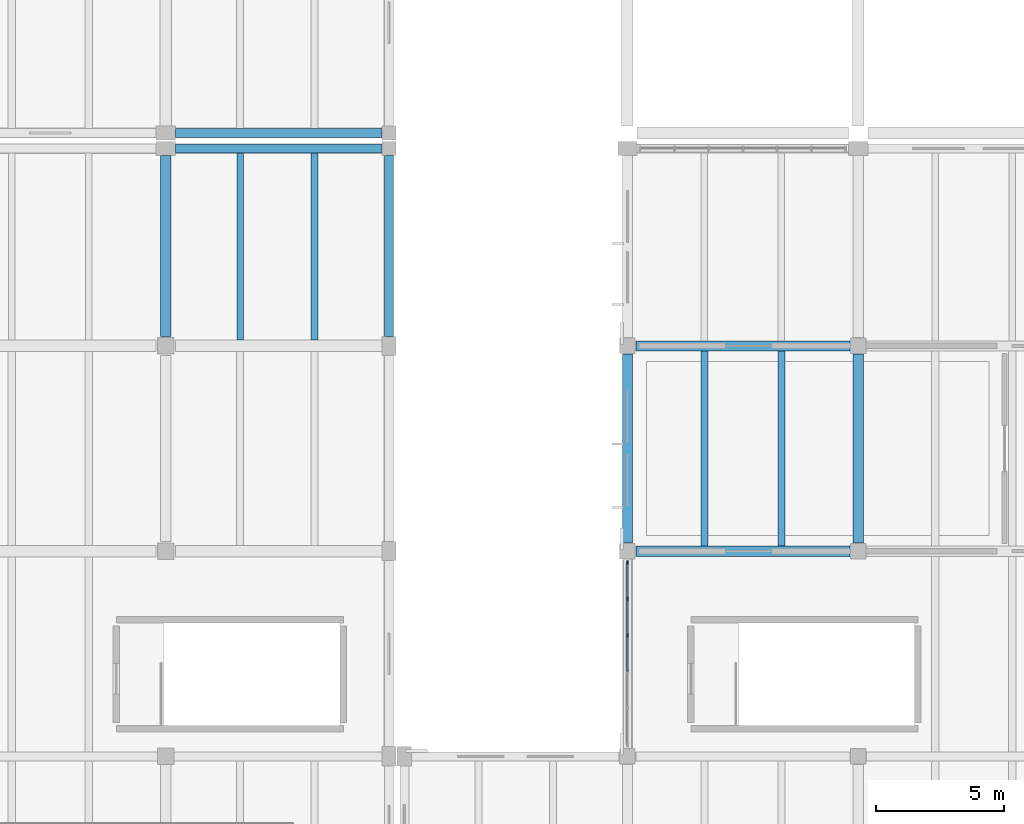
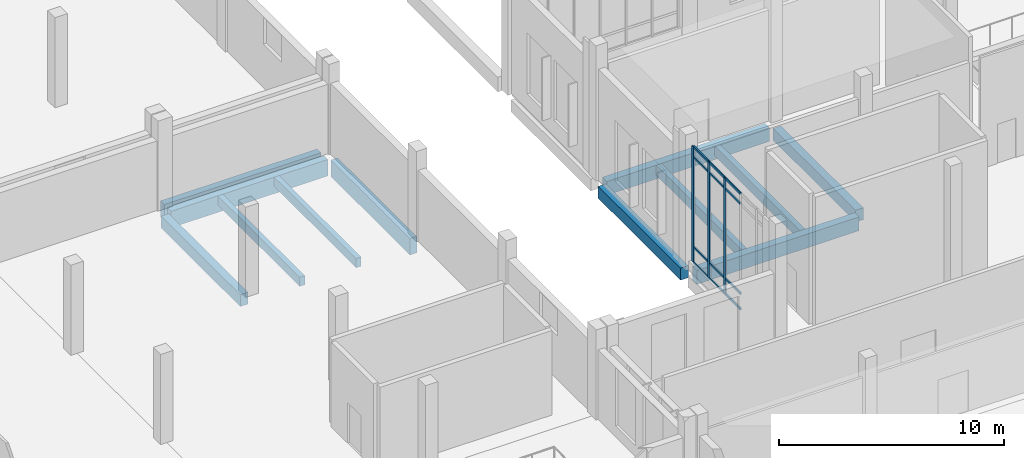
# One storey, part 16 of 110: 15 members, 12 beams, 1 element without a shape of its own.
"""IFC4 building model written with IfcOpenShell, lengths in metres."""

from ifc_helpers import new_model, si_unit, direction, frame, origin, origin_2d, place, context, subcontext, project, spatial, rectangle, extrude, material, layer, layer_set, material_profile, profile_set, type_object, element, aggregate, save


model = new_model("IFC4")

# Units and contexts
model_context = context("Model", 3, precision=1e-05, world=origin(), true_north=direction((0.0, 1.0)))
body_context = subcontext(model_context, "Body", "Model", "MODEL_VIEW")
ifc_project = project(units=[si_unit("LENGTHUNIT", "METRE"), si_unit("AREAUNIT", "SQUARE_METRE"), si_unit("VOLUMEUNIT", "CUBIC_METRE"), si_unit("PLANEANGLEUNIT", "RADIAN"), si_unit("MASSUNIT", "GRAM", prefix="KILO")], contexts=[model_context])

# Site, building, storey
site_placement = place(None, origin())
site = spatial("IfcSite", under=ifc_project, at=site_placement, CompositionType="ELEMENT")
building_placement = place(site_placement, origin())
building = spatial("IfcBuilding", under=site, at=building_placement, Name="Zacnel Wholesale Market", CompositionType="ELEMENT")
storey_placement = place(building_placement, frame((0.0, 0.0, 6.300048828125)))
storey = spatial("IfcBuildingStorey", under=building, at=storey_placement, Name="L02", CompositionType="ELEMENT", Elevation=6.300048828125)

# Beams
ifc_material_1 = material(Name="Precast concrete C45/55", Category="concrete")
ifc_material_profile_1 = material_profile(ifc_material_1, rectangle(XDim=0.280029296875, YDim=0.550048828125, at=origin_2d()), Name="DT RIB 280x550")
ifc_profile_set_1 = profile_set([ifc_material_profile_1], Name="Precast concrete C45/55")
beam_type_1 = type_object("IfcBeamType", Name="BM-DT550", PredefinedType="JOIST", material=ifc_profile_set_1)
for number, where, z_axis, x_axis, name in (
    (1, (84.0, 32.199951171875, -0.574951171875), (0.0, 1.0, 0.0), (-1.0, 0.0, 0.0), "Precast secondary joist L02-0125"),
    (2, (87.0, 32.199951171875, -0.574951171875), (0.0, 1.0, 0.0), (-1.0, 0.0, 0.0), "Precast secondary joist L02-0126"),
):
    element("IfcBeam", number, at=place(storey_placement, frame(where, z_axis=z_axis, x_axis=x_axis)), inside=storey, type_object=beam_type_1, Name=name, PredefinedType="JOIST", context=body_context, shape_type="SweptSolid", body=[
        extrude(rectangle(XDim=0.280029296875, YDim=0.550048828125, at=origin_2d()), origin(), (0.0, 0.0, 1.0), 7.60009765625),
    ])
ifc_material_2 = material(Name="Precast concrete C45/55", Category="concrete")
ifc_material_profile_2 = material_profile(ifc_material_2, rectangle(XDim=0.39990234375, YDim=0.64990234375, at=origin_2d()), Name="PG 400x650")
ifc_profile_set_2 = profile_set([ifc_material_profile_2], Name="Precast concrete C45/55")
beam_type_2 = type_object("IfcBeamType", Name="BM-PG650", PredefinedType="BEAM", material=ifc_profile_set_2)
beam_1_placement = place(storey_placement, frame((63.0, 40.375, -0.64501953125), z_axis=(0.0, 1.0, 0.0), x_axis=(-1.0, 0.0, 0.0)))
element("IfcBeam", 3, at=beam_1_placement, inside=storey, type_object=beam_type_2, Name="Precast girder Y-0391", PredefinedType="BEAM", context=body_context, shape_type="SweptSolid", body=[
    extrude(rectangle(XDim=0.39990234375, YDim=0.64990234375, at=origin_2d()), origin(), (0.0, 0.0, 1.0), 7.050048828125),
])
for number, where, z_axis, x_axis, name in (
    (4, (81.0, 32.324951171875, -0.625), (0.0, 1.0, 0.0), (-1.0, 0.0, 0.0), "Precast girder Y-0424"),
    (5, (90.0, 32.324951171875, -0.625), (0.0, 1.0, 0.0), (-1.0, 0.0, 0.0), "Precast girder Y-0431"),
):
    element("IfcBeam", number, at=place(storey_placement, frame(where, z_axis=z_axis, x_axis=x_axis)), inside=storey, type_object=beam_type_2, Name=name, PredefinedType="BEAM", context=body_context, shape_type="SweptSolid", body=[
        extrude(rectangle(XDim=0.39990234375, YDim=0.64990234375, at=origin_2d()), origin(), (0.0, 0.0, 1.0), 7.35009765625),
    ])
ifc_material_3 = material(Name="Precast concrete C45/55", Category="concrete")
ifc_material_profile_3 = material_profile(ifc_material_3, rectangle(XDim=0.39990234375, YDim=0.75, at=origin_2d()), Name="PG 400x750")
ifc_profile_set_3 = profile_set([ifc_material_profile_3], Name="Precast concrete C45/55")
beam_type_3 = type_object("IfcBeamType", Name="BM-PG750", PredefinedType="BEAM", material=ifc_profile_set_3)
for number, where, z_axis, x_axis, name in (
    (6, (81.324951171875, 32.0, -0.675048828125), (1.0, 0.0, 0.0), (0.0, 1.0, 0.0), "Precast girder X-0081"),
    (7, (81.324951171875, 40.0, -0.675048828125), (1.0, 0.0, 0.0), (0.0, 1.0, 0.0), "Precast girder X-0102"),
):
    element("IfcBeam", number, at=place(storey_placement, frame(where, z_axis=z_axis, x_axis=x_axis)), inside=storey, type_object=beam_type_3, Name=name, PredefinedType="BEAM", context=body_context, shape_type="SweptSolid", body=[
        extrude(rectangle(XDim=0.39990234375, YDim=0.75, at=origin_2d()), origin(), (0.0, 0.0, 1.0), 8.35009765625),
    ])
ifc_material_4 = material(Name="Precast concrete C45/55", Category="concrete")
ifc_material_profile_4 = material_profile(ifc_material_4, rectangle(XDim=0.260009765625, YDim=0.5, at=origin_2d()), Name="PJ 260x500")
ifc_profile_set_4 = profile_set([ifc_material_profile_4], Name="Precast concrete C45/55")
beam_type_4 = type_object("IfcBeamType", Name="BM-PJ500", PredefinedType="HOLLOWCORE", material=ifc_profile_set_4)
for number, where, z_axis, x_axis, name in (
    (8, (65.89990234375, 40.22509765625, -0.570068359375), (0.0, 1.0, 0.0), (-1.0, 0.0, 0.0), "Precast secondary joist L02-0159"),
    (9, (68.800048828125, 40.22509765625, -0.570068359375), (0.0, 1.0, 0.0), (-1.0, 0.0, 0.0), "Precast secondary joist L02-0160"),
):
    element("IfcBeam", number, at=place(storey_placement, frame(where, z_axis=z_axis, x_axis=x_axis)), inside=storey, type_object=beam_type_4, Name=name, PredefinedType="HOLLOWCORE", context=body_context, shape_type="SweptSolid", body=[
        extrude(rectangle(XDim=0.260009765625, YDim=0.5, at=origin_2d()), origin(), (0.0, 0.0, 1.0), 7.2998046875),
    ])
ifc_material_5 = material(Name="Precast concrete C45/55", Category="concrete")
ifc_material_profile_5 = material_profile(ifc_material_5, rectangle(XDim=0.35009765625, YDim=0.89990234375, at=origin_2d()), Name="SP 350x900")
ifc_profile_set_5 = profile_set([ifc_material_profile_5], Name="Precast concrete C45/55")
beam_type_5 = type_object("IfcBeamType", Name="BM-SP900", PredefinedType="SPANDREL", material=ifc_profile_set_5)
for number, where, z_axis, x_axis, name in (
    (10, (63.375, 47.699951171875, -0.77001953125), (1.0, 0.0, 0.0), (0.0, 1.0, 0.0), "Precast girder X-0122"),
    (11, (63.375, 48.300048828125, -0.77001953125), (1.0, 0.0, 0.0), (0.0, 1.0, 0.0), "Precast girder X-0144"),
):
    element("IfcBeam", number, at=place(storey_placement, frame(where, z_axis=z_axis, x_axis=x_axis)), inside=storey, type_object=beam_type_5, Name=name, PredefinedType="SPANDREL", context=body_context, shape_type="SweptSolid", body=[
        extrude(rectangle(XDim=0.35009765625, YDim=0.89990234375, at=origin_2d()), origin(), (0.0, 0.0, 1.0), 8.050048828125),
    ])
beam_2_placement = place(storey_placement, frame((71.699951171875, 40.375, -0.77001953125), z_axis=(0.0, 1.0, 0.0), x_axis=(-1.0, 0.0, 0.0)))
element("IfcBeam", 12, at=beam_2_placement, inside=storey, type_object=beam_type_5, Name="Precast girder Y-0406", PredefinedType="SPANDREL", context=body_context, shape_type="SweptSolid", body=[
    extrude(rectangle(XDim=0.35009765625, YDim=0.89990234375, at=origin_2d()), origin(), (0.0, 0.0, 1.0), 7.050048828125),
])

# Curtain wall, members
ifc_material_6 = material(Name="Anodised aluminium", Category="aluminium")
ifc_layer = layer(ifc_material_6, 0.179931640625)
ifc_layer_set = layer_set([ifc_layer], Name="Anodised aluminium")
curtain_wall_type = type_object("IfcCurtainWallType", Name="CW-AUCT-5800", PredefinedType="NOTDEFINED", material=ifc_layer_set)
curtain_wall_placement = place(storey_placement, origin())
curtain_wall = element("IfcCurtainWall", 13, at=curtain_wall_placement, inside=storey, type_object=curtain_wall_type, Name="Curtain wall ENV-R2-CW-L02-013", PredefinedType="NOTDEFINED")
ifc_material_7 = material(Name="Anodised aluminium", Category="aluminium")
ifc_material_profile_6 = material_profile(ifc_material_7, rectangle(XDim=0.06494140625, YDim=0.1650390625, at=origin_2d()), Name="AW-MULLION 65x165")
ifc_profile_set_6 = profile_set([ifc_material_profile_6], Name="Anodised aluminium")
member_type_1 = type_object("IfcMemberType", Name="CWM-MUL-04", PredefinedType="MULLION", material=ifc_profile_set_6)
member_1_placement = place(storey_placement, frame((81.0, 28.7099609375, 0.449951171875), z_axis=(0.0, 0.0, 1.0), x_axis=(1.0, 0.0, 0.0)))
member_1 = element("IfcMember", 14, at=member_1_placement, type_object=member_type_1, Name="ENV-R2-CW-L02-013 mullion 04", PredefinedType="MULLION", context=body_context, shape_type="SweptSolid", body=[
    extrude(rectangle(XDim=0.06494140625, YDim=0.1650390625, at=origin_2d()), origin(), (0.0, 0.0, 1.0), 6.2900390625),
])
member_2_placement = place(storey_placement, frame((81.0, 30.1298828125, 0.449951171875), z_axis=(0.0, 0.0, 1.0), x_axis=(1.0, 0.0, 0.0)))
member_2 = element("IfcMember", 15, at=member_2_placement, type_object=member_type_1, Name="ENV-R2-CW-L02-013 mullion 05", PredefinedType="MULLION", context=body_context, shape_type="SweptSolid", body=[
    extrude(rectangle(XDim=0.06494140625, YDim=0.1650390625, at=origin_2d()), origin(), (0.0, 0.0, 1.0), 6.2900390625),
])
member_3_placement = place(storey_placement, frame((81.0, 31.550048828125, 0.449951171875), z_axis=(0.0, 0.0, 1.0), x_axis=(1.0, 0.0, 0.0)))
member_3 = element("IfcMember", 16, at=member_3_placement, type_object=member_type_1, Name="ENV-R2-CW-L02-013 mullion 06", PredefinedType="MULLION", context=body_context, shape_type="SweptSolid", body=[
    extrude(rectangle(XDim=0.06494140625, YDim=0.1650390625, at=origin_2d()), origin(), (0.0, 0.0, 1.0), 6.2900390625),
])
ifc_material_8 = material(Name="Anodised aluminium", Category="aluminium")
ifc_material_profile_7 = material_profile(ifc_material_8, rectangle(XDim=0.06494140625, YDim=0.125, at=origin_2d()), Name="AW-TRANSOM 65x125")
ifc_profile_set_7 = profile_set([ifc_material_profile_7], Name="Anodised aluminium")
member_type_2 = type_object("IfcMemberType", Name="CWM-TRN-04", PredefinedType="USERDEFINED", material=ifc_profile_set_7)
member_4_placement = place(storey_placement, frame((81.0, 27.324951171875, 0.449951171875), z_axis=(0.0, 1.0, 0.0), x_axis=(-1.0, 0.0, 0.0)))
member_4 = element("IfcMember", 17, at=member_4_placement, type_object=member_type_2, Name="ENV-R2-CW-L02-013 transom 3-1", ObjectType="TRANSOM", PredefinedType="USERDEFINED", context=body_context, shape_type="SweptSolid", body=[
    extrude(rectangle(XDim=0.06494140625, YDim=0.125, at=origin_2d()), origin(), (0.0, 0.0, 1.0), 1.35009765625),
])
member_5_placement = place(storey_placement, frame((81.0, 27.324951171875, 1.300048828125), z_axis=(0.0, 1.0, 0.0), x_axis=(-1.0, 0.0, 0.0)))
member_5 = element("IfcMember", 18, at=member_5_placement, type_object=member_type_2, Name="ENV-R2-CW-L02-013 transom 3-2", ObjectType="TRANSOM", PredefinedType="USERDEFINED", context=body_context, shape_type="SweptSolid", body=[
    extrude(rectangle(XDim=0.06494140625, YDim=0.125, at=origin_2d()), origin(), (0.0, 0.0, 1.0), 1.35009765625),
])
member_6_placement = place(storey_placement, frame((81.0, 27.324951171875, 6.18994140625), z_axis=(0.0, 1.0, 0.0), x_axis=(-1.0, 0.0, 0.0)))
member_6 = element("IfcMember", 19, at=member_6_placement, type_object=member_type_2, Name="ENV-R2-CW-L02-013 transom 3-3", ObjectType="TRANSOM", PredefinedType="USERDEFINED", context=body_context, shape_type="SweptSolid", body=[
    extrude(rectangle(XDim=0.06494140625, YDim=0.125, at=origin_2d()), origin(), (0.0, 0.0, 1.0), 1.35009765625),
])
member_7_placement = place(storey_placement, frame((81.0, 27.324951171875, 6.739990234375), z_axis=(0.0, 1.0, 0.0), x_axis=(-1.0, 0.0, 0.0)))
member_7 = element("IfcMember", 20, at=member_7_placement, type_object=member_type_2, Name="ENV-R2-CW-L02-013 transom 3-4", ObjectType="TRANSOM", PredefinedType="USERDEFINED", context=body_context, shape_type="SweptSolid", body=[
    extrude(rectangle(XDim=0.06494140625, YDim=0.125, at=origin_2d()), origin(), (0.0, 0.0, 1.0), 1.35009765625),
])
member_8_placement = place(storey_placement, frame((81.0, 28.7451171875, 0.449951171875), z_axis=(0.0, 1.0, 0.0), x_axis=(-1.0, 0.0, 0.0)))
member_8 = element("IfcMember", 21, at=member_8_placement, type_object=member_type_2, Name="ENV-R2-CW-L02-013 transom 4-1", ObjectType="TRANSOM", PredefinedType="USERDEFINED", context=body_context, shape_type="SweptSolid", body=[
    extrude(rectangle(XDim=0.06494140625, YDim=0.125, at=origin_2d()), origin(), (0.0, 0.0, 1.0), 1.349853515625),
])
member_9_placement = place(storey_placement, frame((81.0, 28.7451171875, 1.300048828125), z_axis=(0.0, 1.0, 0.0), x_axis=(-1.0, 0.0, 0.0)))
member_9 = element("IfcMember", 22, at=member_9_placement, type_object=member_type_2, Name="ENV-R2-CW-L02-013 transom 4-2", ObjectType="TRANSOM", PredefinedType="USERDEFINED", context=body_context, shape_type="SweptSolid", body=[
    extrude(rectangle(XDim=0.06494140625, YDim=0.125, at=origin_2d()), origin(), (0.0, 0.0, 1.0), 1.349853515625),
])
member_10_placement = place(storey_placement, frame((81.0, 28.7451171875, 6.18994140625), z_axis=(0.0, 1.0, 0.0), x_axis=(-1.0, 0.0, 0.0)))
member_10 = element("IfcMember", 23, at=member_10_placement, type_object=member_type_2, Name="ENV-R2-CW-L02-013 transom 4-3", ObjectType="TRANSOM", PredefinedType="USERDEFINED", context=body_context, shape_type="SweptSolid", body=[
    extrude(rectangle(XDim=0.06494140625, YDim=0.125, at=origin_2d()), origin(), (0.0, 0.0, 1.0), 1.349853515625),
])
member_11_placement = place(storey_placement, frame((81.0, 28.7451171875, 6.739990234375), z_axis=(0.0, 1.0, 0.0), x_axis=(-1.0, 0.0, 0.0)))
member_11 = element("IfcMember", 24, at=member_11_placement, type_object=member_type_2, Name="ENV-R2-CW-L02-013 transom 4-4", ObjectType="TRANSOM", PredefinedType="USERDEFINED", context=body_context, shape_type="SweptSolid", body=[
    extrude(rectangle(XDim=0.06494140625, YDim=0.125, at=origin_2d()), origin(), (0.0, 0.0, 1.0), 1.349853515625),
])
member_12_placement = place(storey_placement, frame((81.0, 30.1650390625, 0.449951171875), z_axis=(0.0, 1.0, 0.0), x_axis=(-1.0, 0.0, 0.0)))
member_12 = element("IfcMember", 25, at=member_12_placement, type_object=member_type_2, Name="ENV-R2-CW-L02-013 transom 5-1", ObjectType="TRANSOM", PredefinedType="USERDEFINED", context=body_context, shape_type="SweptSolid", body=[
    extrude(rectangle(XDim=0.06494140625, YDim=0.125, at=origin_2d()), origin(), (0.0, 0.0, 1.0), 1.349853515625),
])
member_13_placement = place(storey_placement, frame((81.0, 30.1650390625, 1.300048828125), z_axis=(0.0, 1.0, 0.0), x_axis=(-1.0, 0.0, 0.0)))
member_13 = element("IfcMember", 26, at=member_13_placement, type_object=member_type_2, Name="ENV-R2-CW-L02-013 transom 5-2", ObjectType="TRANSOM", PredefinedType="USERDEFINED", context=body_context, shape_type="SweptSolid", body=[
    extrude(rectangle(XDim=0.06494140625, YDim=0.125, at=origin_2d()), origin(), (0.0, 0.0, 1.0), 1.349853515625),
])
member_14_placement = place(storey_placement, frame((81.0, 30.1650390625, 6.18994140625), z_axis=(0.0, 1.0, 0.0), x_axis=(-1.0, 0.0, 0.0)))
member_14 = element("IfcMember", 27, at=member_14_placement, type_object=member_type_2, Name="ENV-R2-CW-L02-013 transom 5-3", ObjectType="TRANSOM", PredefinedType="USERDEFINED", context=body_context, shape_type="SweptSolid", body=[
    extrude(rectangle(XDim=0.06494140625, YDim=0.125, at=origin_2d()), origin(), (0.0, 0.0, 1.0), 1.349853515625),
])
member_15_placement = place(storey_placement, frame((81.0, 30.1650390625, 6.739990234375), z_axis=(0.0, 1.0, 0.0), x_axis=(-1.0, 0.0, 0.0)))
member_15 = element("IfcMember", 28, at=member_15_placement, type_object=member_type_2, Name="ENV-R2-CW-L02-013 transom 5-4", ObjectType="TRANSOM", PredefinedType="USERDEFINED", context=body_context, shape_type="SweptSolid", body=[
    extrude(rectangle(XDim=0.06494140625, YDim=0.125, at=origin_2d()), origin(), (0.0, 0.0, 1.0), 1.349853515625),
])
aggregate(curtain_wall, [member_1, member_2, member_3, member_4, member_5, member_6, member_7, member_8, member_9, member_10, member_11, member_12, member_13, member_14, member_15])

save(model, "model.ifc")
